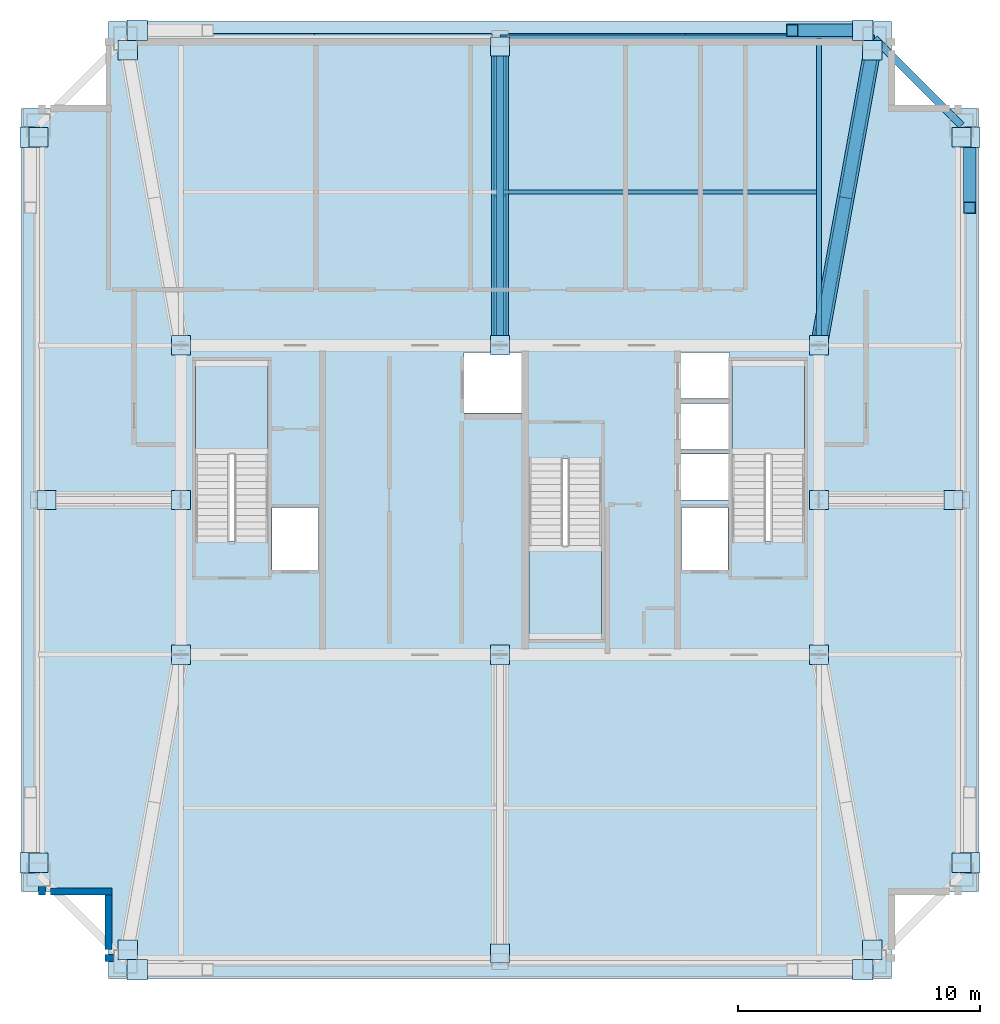
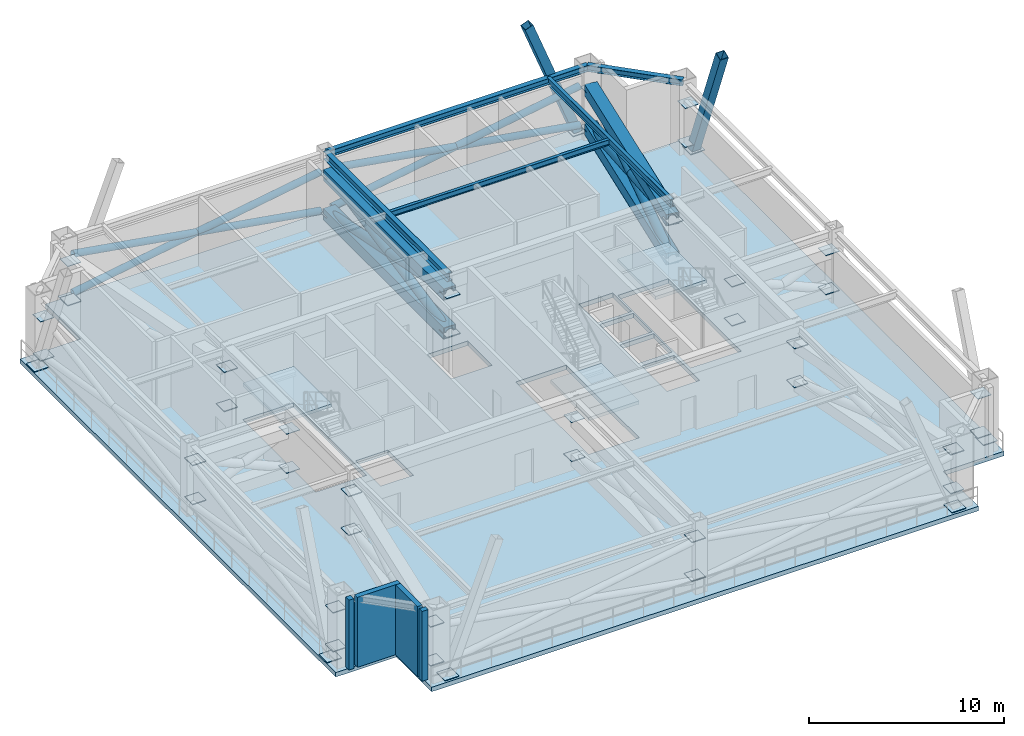
# One storey, part 4 of 9: 48 plates, 14 members, 5 beams, 4 slabs, 4 walls, 3 elements without a shape of their own.
"""IFC4 building model written with IfcOpenShell, lengths in metres."""

from ifc_helpers import new_model, si_unit, direction, frame, frame_2d, origin, origin_2d, place, context, subcontext, project, spatial, polyline, rectangle, hollow_rectangle, hollow_circle, i_section, outline, extrude, source, transform, mapped, material, layer, layer_set, material_profile, profile_set, type_object, element, aggregate, save


model = new_model("IFC4")

# Units and contexts
model_context = context("Model", 3, precision=1e-05, world=origin(), true_north=direction((0.0, 1.0)))
body_context = subcontext(model_context, "Body", "Model", "MODEL_VIEW")
ifc_project = project(units=[si_unit("LENGTHUNIT", "METRE"), si_unit("AREAUNIT", "SQUARE_METRE"), si_unit("VOLUMEUNIT", "CUBIC_METRE"), si_unit("PLANEANGLEUNIT", "RADIAN"), si_unit("MASSUNIT", "GRAM", prefix="KILO"), si_unit("THERMODYNAMICTEMPERATUREUNIT", "KELVIN"), si_unit("POWERUNIT", "WATT")], contexts=[model_context])

# Site, building, storey
site_placement = place(None, origin())
site = spatial("IfcSite", under=ifc_project, at=site_placement, CompositionType="ELEMENT")
building_placement = place(site_placement, origin())
building = spatial("IfcBuilding", under=site, at=building_placement, Name="Yuzanri Waterfront Tower", CompositionType="ELEMENT")
storey_placement = place(building_placement, frame((0.0, 0.0, 306.60009765625)))
storey = spatial("IfcBuildingStorey", under=building, at=storey_placement, Name="L82", CompositionType="ELEMENT", Elevation=306.60009765625)

# Beams
ifc_material_1 = material(Name="Steel Q355B", Category="steel")
ifc_material_profile_1 = material_profile(ifc_material_1, i_section(OverallWidth=0.175048828125, OverallDepth=0.35009765625, WebThickness=0.007080078125, FlangeThickness=0.010986328125, at=origin_2d()), Name="HN 350x175x7x11")
ifc_profile_set_1 = profile_set([ifc_material_profile_1], Name="Steel Q355B")
beam_type_1 = type_object("IfcBeamType", Name="Floor Joist Q355B HN 350x175", PredefinedType="JOIST", material=ifc_profile_set_1)
shared_shape_1 = source(origin(), body_context, "Body", "SweptSolid", [
    extrude(i_section(OverallWidth=0.175048828125, OverallDepth=0.35009765625, WebThickness=0.007080078125, FlangeThickness=0.010986328125, at=origin_2d()), origin(), (0.0, 0.0, 1.0), 12.9501953125),
])
beam_1_placement = place(storey_placement, frame((37.14990234375, 38.550048828125, 4.204833984375), z_axis=(1.0, 0.0, 0.0), x_axis=(0.0, 1.0, 0.0)))
element("IfcBeam", 1, at=beam_1_placement, inside=storey, type_object=beam_type_1, Name="L82 North Bay Joist E", PredefinedType="JOIST", context=body_context, shape_type="MappedRepresentation", body=[
    mapped(shared_shape_1, transform((0.0, 0.0, 0.0), scale=1.0)),
])
ifc_material_2 = material(Name="Steel Q355B", Category="steel")
ifc_material_profile_2 = material_profile(ifc_material_2, i_section(OverallWidth=0.300048828125, OverallDepth=0.389892578125, WebThickness=0.010009765625, FlangeThickness=0.01611328125, at=origin_2d()), Name="HM 390x300x10x16")
ifc_profile_set_2 = profile_set([ifc_material_profile_2], Name="Steel Q355B")
beam_type_2 = type_object("IfcBeamType", Name="Perimeter Spandrel Q355B HM 390x300", PredefinedType="SPANDREL", material=ifc_profile_set_2)
shared_shape_2 = source(origin(), body_context, "Body", "SweptSolid", [
    extrude(i_section(OverallWidth=0.300048828125, OverallDepth=0.389892578125, WebThickness=0.010009765625, FlangeThickness=0.01611328125, at=origin_2d()), origin(), (0.0, 0.0, 1.0), 15.5),
])
beam_2_placement = place(storey_placement, frame((52.5, 44.89990234375, 4.184814453125), z_axis=(-1.0, 0.0, 0.0), x_axis=(0.0, -1.0, 0.0)))
element("IfcBeam", 2, at=beam_2_placement, inside=storey, type_object=beam_type_2, Name="L82 Perimeter Spandrel N3-N2", PredefinedType="SPANDREL", context=body_context, shape_type="MappedRepresentation", body=[
    mapped(shared_shape_2, transform((0.0, 0.0, 0.0), scale=1.0)),
])
shared_shape_3 = source(origin(), body_context, "Body", "SweptSolid", [
    extrude(i_section(OverallWidth=0.300048828125, OverallDepth=0.389892578125, WebThickness=0.010009765625, FlangeThickness=0.01611328125, at=origin_2d()), origin(), (0.0, 0.0, 1.0), 5.091064453125),
])
beam_3_placement = place(storey_placement, frame((56.10009765625, 41.300048828125, 4.184814453125), z_axis=(-0.707130757816, 0.707082803744, 0.0), x_axis=(-0.707082803744, -0.707130757816, 0.0)))
element("IfcBeam", 3, at=beam_3_placement, inside=storey, type_object=beam_type_2, Name="L82 Perimeter Spandrel E3-N3", PredefinedType="SPANDREL", context=body_context, shape_type="MappedRepresentation", body=[
    mapped(shared_shape_3, transform((0.0, 0.0, 0.0), scale=1.0)),
])
ifc_material_3 = material(Name="Steel Q355B", Category="steel")
ifc_material_profile_3 = material_profile(ifc_material_3, i_section(OverallWidth=0.300048828125, OverallDepth=0.488037109375, WebThickness=0.010986328125, FlangeThickness=0.01806640625, at=origin_2d()), Name="HM 488x300x11x18")
ifc_profile_set_3 = profile_set([ifc_material_profile_3], Name="Steel Q355B")
beam_type_3 = type_object("IfcBeamType", Name="Primary Floor Girder Q355B HM 488x300", PredefinedType="BEAM", material=ifc_profile_set_3)
shared_shape_4 = source(origin(), body_context, "Body", "SweptSolid", [
    extrude(i_section(OverallWidth=0.300048828125, OverallDepth=0.488037109375, WebThickness=0.010986328125, FlangeThickness=0.01806640625, at=origin_2d()), origin(), (0.0, 0.0, 1.0), 12.699951171875),
])
beam_4_placement = place(storey_placement, frame((37.0, 32.199951171875, 4.135986328125), z_axis=(0.0, 1.0, 0.0), x_axis=(-1.0, 0.0, 0.0)))
element("IfcBeam", 4, at=beam_4_placement, inside=storey, type_object=beam_type_3, Name="L82 North Grid Girder", PredefinedType="BEAM", context=body_context, shape_type="MappedRepresentation", body=[
    mapped(shared_shape_4, transform((0.0, 0.0, 0.0), scale=1.0)),
])
ifc_material_4 = material(Name="Steel Q355B", Category="steel")
ifc_material_profile_4 = material_profile(ifc_material_4, i_section(OverallWidth=0.199951171875, OverallDepth=0.449951171875, WebThickness=0.009033203125, FlangeThickness=0.013916015625, at=origin_2d()), Name="HN 450x200x9x14")
ifc_profile_set_4 = profile_set([ifc_material_profile_4], Name="Steel Q355B")
beam_type_4 = type_object("IfcBeamType", Name="Secondary Floor Beam Q355B HN 450x200", PredefinedType="BEAM", material=ifc_profile_set_4)
shared_shape_5 = source(origin(), body_context, "Body", "SweptSolid", [
    extrude(i_section(OverallWidth=0.199951171875, OverallDepth=0.449951171875, WebThickness=0.009033203125, FlangeThickness=0.013916015625, at=origin_2d()), origin(), (0.0, 0.0, 1.0), 12.699951171875),
])
beam_5_placement = place(storey_placement, frame((50.199951171875, 32.199951171875, 4.15478515625), z_axis=(0.0, 1.0, 0.0), x_axis=(-1.0, 0.0, 0.0)))
element("IfcBeam", 5, at=beam_5_placement, inside=storey, type_object=beam_type_4, Name="L82 North-East Core Line Beam", PredefinedType="BEAM", context=body_context, shape_type="MappedRepresentation", body=[
    mapped(shared_shape_5, transform((0.0, 0.0, 0.0), scale=1.0)),
])

# Members
ifc_material_5 = material(Name="Steel Q390GJC", Category="steel")
ifc_material_profile_5 = material_profile(ifc_material_5, hollow_rectangle(XDim=0.5, YDim=0.5, WallThickness=0.02197265625, at=origin_2d()), Name="RHS 500x500x22")
ifc_profile_set_5 = profile_set([ifc_material_profile_5], Name="Steel Q390GJC")
member_type_1 = type_object("IfcMemberType", Name="Mega Brace Upper Q390GJC RHS 500x500x22", PredefinedType="BRACE", material=ifc_profile_set_5)
shared_shape_6 = source(origin(), body_context, "Body", "SweptSolid", [
    extrude(hollow_rectangle(XDim=0.5, YDim=0.5, WallThickness=0.02197265625, at=origin_2d()), origin(), (0.0, 0.0, 1.0), 8.1416015625),
])
for number, where, z_axis, x_axis, name in (
    (6, (52.02001953125, 45.239990234375, 0.179931640625), (-0.358647496613, 0.0, 0.933473070406), (0.0, -1.0, 0.0), "L82-L83 Perimeter Mega-Brace N-R"),
    (7, (56.43994140625, 40.820068359375, 0.179931640625), (0.0, -0.358673626239, 0.933463030784), (1.0, 0.0, 0.0), "L82-L83 Perimeter Mega-Brace E-R"),
):
    element("IfcMember", number, at=place(storey_placement, frame(where, z_axis=z_axis, x_axis=x_axis)), inside=storey, type_object=member_type_1, Name=name, PredefinedType="BRACE", context=body_context, shape_type="MappedRepresentation", body=[
        mapped(shared_shape_6, transform((0.0, 0.0, 0.0), scale=1.0)),
    ])
ifc_material_6 = material(Name="Steel Q420GJC", Category="steel")
ifc_material_profile_6 = material_profile(ifc_material_6, hollow_rectangle(XDim=0.699951171875, YDim=0.699951171875, WallThickness=0.031982421875, at=origin_2d()), Name="RHS 700x700x32")
ifc_profile_set_6 = profile_set([ifc_material_profile_6], Name="Steel Q420GJC")
member_type_2 = type_object("IfcMemberType", Name="Outrigger Chord Q420GJC RHS 700x700x32", PredefinedType="CHORD", material=ifc_profile_set_6)
shared_shape_7 = source(origin(), body_context, "Body", "SweptSolid", [
    extrude(hollow_rectangle(XDim=0.699951171875, YDim=0.699951171875, WallThickness=0.031982421875, at=origin_2d()), origin(), (0.0, 0.0, 1.0), 12.364990234375),
])
for number, where, z_axis, x_axis, name in (
    (8, (37.0, 32.199951171875, 0.719970703125), (0.0, 1.0, 0.0), (-1.0, 0.0, 0.0), "L82 Outrigger Bottom Chord N2"),
    (9, (37.0, 32.199951171875, 3.159912109375), (0.0, 1.0, 0.0), (-1.0, 0.0, 0.0), "L82 Outrigger Top Chord N2"),
):
    element("IfcMember", number, at=place(storey_placement, frame(where, z_axis=z_axis, x_axis=x_axis)), inside=storey, type_object=member_type_2, Name=name, PredefinedType="CHORD", context=body_context, shape_type="MappedRepresentation", body=[
        mapped(shared_shape_7, transform((0.0, 0.0, 0.0), scale=1.0)),
    ])
ifc_material_7 = material(Name="Steel Q420GJC", Category="steel")
ifc_material_profile_7 = material_profile(ifc_material_7, hollow_circle(Radius=0.25390625, WallThickness=0.02001953125, at=origin_2d()), Name="CHS 508x20")
ifc_profile_set_7 = profile_set([ifc_material_profile_7], Name="Steel Q420GJC")
member_type_3 = type_object("IfcMemberType", Name="Outrigger Diagonal Q420GJC CHS 508x20", PredefinedType="BRACE", material=ifc_profile_set_7)
shared_shape_8 = source(origin(), body_context, "Body", "SweptSolid", [
    extrude(hollow_circle(Radius=0.25390625, WallThickness=0.02001953125, at=origin_2d()), origin(), (0.0, 0.0, 1.0), 12.603515625),
])
for number, where, z_axis, x_axis, name in (
    (10, (37.0, 32.199951171875, 0.719970703125), (0.0, 0.981081823, 0.193593534446), (-1.0, 0.0, 0.0), "L82 Outrigger Diagonal 1 N2"),
    (11, (37.0, 32.199951171875, 3.159912109375), (0.0, 0.981081823, -0.193593534446), (-1.0, 0.0, 0.0), "L82 Outrigger Diagonal 2 N2"),
):
    element("IfcMember", number, at=place(storey_placement, frame(where, z_axis=z_axis, x_axis=x_axis)), inside=storey, type_object=member_type_3, Name=name, PredefinedType="BRACE", context=body_context, shape_type="MappedRepresentation", body=[
        mapped(shared_shape_8, transform((0.0, 0.0, 0.0), scale=1.0)),
    ])
shared_shape_9 = source(origin(), body_context, "Body", "SweptSolid", [
    extrude(hollow_rectangle(XDim=0.699951171875, YDim=0.699951171875, WallThickness=0.031982421875, at=origin_2d()), origin(), (0.0, 0.0, 1.0), 12.413818359375),
])
for number, where, z_axis, x_axis, name in (
    (12, (50.199951171875, 32.199951171875, 0.719970703125), (0.178201773602, 0.983993967403, 0.0), (-0.983993967403, 0.178201773602, 0.0), "L82 Outrigger Bottom Chord N3"),
    (13, (50.199951171875, 32.199951171875, 3.159912109375), (0.178201773602, 0.983993967403, 0.0), (-0.983993967403, 0.178201773602, 0.0), "L82 Outrigger Top Chord N3"),
):
    element("IfcMember", number, at=place(storey_placement, frame(where, z_axis=z_axis, x_axis=x_axis)), inside=storey, type_object=member_type_2, Name=name, PredefinedType="CHORD", context=body_context, shape_type="MappedRepresentation", body=[
        mapped(shared_shape_9, transform((0.0, 0.0, 0.0), scale=1.0)),
    ])
shared_shape_10 = source(origin(), body_context, "Body", "SweptSolid", [
    extrude(hollow_circle(Radius=0.25390625, WallThickness=0.02001953125, at=origin_2d()), origin(), (0.0, 0.0, 1.0), 12.6513671875),
])
for number, where, z_axis, x_axis, name in (
    (14, (50.199951171875, 32.199951171875, 0.719970703125), (0.174856230455, 0.965520558255, 0.19286096095), (-0.983993967403, 0.178201773602, 0.0), "L82 Outrigger Diagonal 1 N3"),
    (15, (50.199951171875, 32.199951171875, 3.159912109375), (0.174856230455, 0.965520558255, -0.19286096095), (-0.983993967403, 0.178201773602, 0.0), "L82 Outrigger Diagonal 2 N3"),
):
    element("IfcMember", number, at=place(storey_placement, frame(where, z_axis=z_axis, x_axis=x_axis)), inside=storey, type_object=member_type_3, Name=name, PredefinedType="BRACE", context=body_context, shape_type="MappedRepresentation", body=[
        mapped(shared_shape_10, transform((0.0, 0.0, 0.0), scale=1.0)),
    ])
ifc_material_8 = material(Name="Steel Q390GJC", Category="steel")
ifc_material_profile_8 = material_profile(ifc_material_8, hollow_circle(Radius=0.202880859375, WallThickness=0.01611328125, at=origin_2d()), Name="CHS 406x16")
ifc_profile_set_8 = profile_set([ifc_material_profile_8], Name="Steel Q390GJC")
member_type_4 = type_object("IfcMemberType", Name="Belt Truss Strut Q390GJC CHS 406x16", PredefinedType="STRUT", material=ifc_profile_set_8)
shared_shape_11 = source(origin(), body_context, "Body", "SweptSolid", [
    extrude(hollow_circle(Radius=0.202880859375, WallThickness=0.01611328125, at=origin_2d()), origin(), (0.0, 0.0, 1.0), 14.88134765625),
])
for number, where, z_axis, x_axis, name in (
    (16, (21.985107421875, 44.89990234375, 0.719970703125), (0.986466987353, 0.0, 0.163960003852), (0.0, 1.0, 0.0), "L82 Belt Truss Diagonal N1-N2 A"),
    (17, (21.985107421875, 44.89990234375, 3.159912109375), (0.986466987353, 0.0, -0.163960003852), (0.0, 1.0, 0.0), "L82 Belt Truss Diagonal N1-N2 B"),
    (18, (37.3349609375, 44.89990234375, 0.719970703125), (0.986466987353, 0.0, 0.163960003852), (0.0, 1.0, 0.0), "L82 Belt Truss Diagonal N2-N3 A"),
    (19, (37.3349609375, 44.89990234375, 3.159912109375), (0.986466987353, 0.0, -0.163960003852), (0.0, 1.0, 0.0), "L82 Belt Truss Diagonal N2-N3 B"),
):
    element("IfcMember", number, at=place(storey_placement, frame(where, z_axis=z_axis, x_axis=x_axis)), inside=storey, type_object=member_type_4, Name=name, PredefinedType="STRUT", context=body_context, shape_type="MappedRepresentation", body=[
        mapped(shared_shape_11, transform((0.0, 0.0, 0.0), scale=1.0)),
    ])

# Stair, slab
ifc_material_9 = material(Name="Concrete C40", Category="concrete")
stair_type = type_object("IfcStairType", Name="Concrete C40 Core Dogleg Exit Stair", PredefinedType="HALF_TURN_STAIR", material=ifc_material_9)
stair_1_placement = place(storey_placement, origin())
stair_1 = element("IfcStair", 20, at=stair_1_placement, inside=storey, type_object=stair_type, Name="L82 Smoke-Proof Core Stair ST-01", PredefinedType="HALF_TURN_STAIR")
ifc_material_10 = material(Name="Concrete C40", Category="concrete")
ifc_layer_1 = layer(ifc_material_10, 0.179931640625)
ifc_layer_set_1 = layer_set([ifc_layer_1], Name="Concrete C40")
slab_type_1 = type_object("IfcSlabType", Name="Concrete C40 Stair Half-Landing Slab 180", PredefinedType="LANDING", material=ifc_layer_set_1)
slab_1_placement = place(storey_placement, frame((0.0, 0.0, 2.099853515625)))
slab_1 = element("IfcSlab", 21, at=slab_1_placement, type_object=slab_type_1, Name="ST-01 landing 1", PredefinedType="LANDING", context=body_context, shape_type="SweptSolid", body=[
    extrude(outline(polyline([(27.39990234375, 27.679931640625), (27.39990234375, 31.580078125), (24.39990234375, 31.580078125), (24.39990234375, 27.679931640625), (27.39990234375, 27.679931640625)])), origin(), (0.0, 0.0, 1.0), 0.199951171875),
])
aggregate(stair_1, [slab_1])

stair_2_placement = place(storey_placement, origin())
stair_2 = element("IfcStair", 22, at=stair_2_placement, inside=storey, type_object=stair_type, Name="L82 Smoke-Proof Core Stair ST-02", PredefinedType="HALF_TURN_STAIR")
slab_2_placement = place(storey_placement, frame((0.0, 0.0, 2.099853515625)))
slab_2 = element("IfcSlab", 23, at=slab_2_placement, type_object=slab_type_1, Name="ST-02 landing 1", PredefinedType="LANDING", context=body_context, shape_type="SweptSolid", body=[
    extrude(outline(polyline([(49.60009765625, 27.679931640625), (49.60009765625, 31.580078125), (46.60009765625, 31.580078125), (46.60009765625, 27.679931640625), (49.60009765625, 27.679931640625)])), origin(), (0.0, 0.0, 1.0), 0.199951171875),
])
aggregate(stair_2, [slab_2])

stair_3_placement = place(storey_placement, origin())
stair_3 = element("IfcStair", 24, at=stair_3_placement, inside=storey, type_object=stair_type, Name="L82 Smoke-Proof Core Stair ST-03", PredefinedType="HALF_TURN_STAIR")
slab_3_placement = place(storey_placement, frame((0.0, 0.0, 2.099853515625)))
slab_3 = element("IfcSlab", 25, at=slab_3_placement, type_object=slab_type_1, Name="ST-03 landing 1", PredefinedType="LANDING", context=body_context, shape_type="SweptSolid", body=[
    extrude(outline(polyline([(38.199951171875, 23.919921875), (38.199951171875, 20.02001953125), (41.199951171875, 20.02001953125), (41.199951171875, 23.919921875), (38.199951171875, 23.919921875)])), origin(), (0.0, 0.0, 1.0), 0.199951171875),
])
aggregate(stair_3, [slab_3])

# Slab
ifc_material_11 = material(Name="Concrete C45", Category="concrete")
ifc_layer_2 = layer(ifc_material_11, 0.280029296875)
ifc_layer_set_2 = layer_set([ifc_layer_2], Name="Concrete C45")
slab_type_2 = type_object("IfcSlabType", Name="Concrete C45 Podium and Refuge Structural Floor Slab 280", PredefinedType="FLOOR", material=ifc_layer_set_2)
slab_4_placement = place(storey_placement, frame((0.0, 0.0, -0.280029296875)))
element("IfcSlab", 26, at=slab_4_placement, inside=storey, type_object=slab_type_2, Name="L82 Main Structural Floor Slab", PredefinedType="FLOOR", context=body_context, shape_type="SweptSolid", body=[
    extrude(outline(polyline([(20.800048828125, 6.0), (53.199951171875, 6.0), (53.199951171875, 9.60009765625), (56.800048828125, 9.60009765625), (56.800048828125, 42.0), (53.199951171875, 42.0), (53.199951171875, 45.60009765625), (20.800048828125, 45.60009765625), (20.800048828125, 42.0), (17.199951171875, 42.0), (17.199951171875, 9.60009765625), (20.800048828125, 9.60009765625), (20.800048828125, 6.0)]), holes=[polyline([(27.39990234375, 24.10009765625), (27.39990234375, 31.580078125), (24.39990234375, 31.580078125), (24.39990234375, 24.10009765625), (27.39990234375, 24.10009765625)]), polyline([(49.60009765625, 24.10009765625), (49.60009765625, 31.580078125), (46.60009765625, 31.580078125), (46.60009765625, 24.10009765625), (49.60009765625, 24.10009765625)]), polyline([(38.199951171875, 27.5), (38.199951171875, 20.02001953125), (41.199951171875, 20.02001953125), (41.199951171875, 27.5), (38.199951171875, 27.5)]), polyline([(27.56005859375, 22.89990234375), (29.47998046875, 22.89990234375), (29.47998046875, 25.5), (27.56005859375, 25.5), (27.56005859375, 22.89990234375)]), polyline([(44.52001953125, 22.89990234375), (46.43994140625, 22.89990234375), (46.43994140625, 25.5), (44.52001953125, 25.5), (44.52001953125, 22.89990234375)]), polyline([(35.5, 29.39990234375), (37.89990234375, 29.39990234375), (37.89990234375, 31.89990234375), (35.5, 31.89990234375), (35.5, 29.39990234375)]), polyline([(44.5, 25.800048828125), (46.5, 25.800048828125), (46.5, 27.699951171875), (44.5, 27.699951171875), (44.5, 25.800048828125)]), polyline([(44.5, 27.89990234375), (46.5, 27.89990234375), (46.5, 29.800048828125), (44.5, 29.800048828125), (44.5, 27.89990234375)]), polyline([(44.5, 30.0), (46.5, 30.0), (46.5, 31.89990234375), (44.5, 31.89990234375), (44.5, 30.0)])]), origin(), (0.0, 0.0, 1.0), 0.280029296875),
])

# Plates
ifc_material_12 = material(Name="Steel Q420GJC", Category="steel")
ifc_layer_3 = layer(ifc_material_12, 0.0400390625)
ifc_layer_set_3 = layer_set([ifc_layer_3], Name="Steel Q420GJC")
plate_type_1 = type_object("IfcPlateType", Name="Steel Q420GJC Mega-Brace Gusset and End-Cap Plate 40", PredefinedType="SHEET", material=ifc_layer_set_3)
shared_shape_12 = source(origin(), body_context, "Body", "SweptSolid", [
    extrude(rectangle(XDim=0.85009765625, YDim=0.85009765625, at=origin_2d()), origin(), (0.0, 0.0, 1.0), 0.0400390625),
])
for number, where, z_axis, x_axis, name in (
    (27, (21.97998046875, 6.360107421875, 0.159912109375), (0.0, 0.0, 1.0), (1.0, 0.0, 0.0), "L82 Mega-Brace Foot Cap Plate S-L"),
    (28, (52.02001953125, 6.360107421875, 0.159912109375), (0.0, 0.0, 1.0), (1.0, 0.0, 0.0), "L82 Mega-Brace Foot Cap Plate S-R"),
    (29, (21.97998046875, 45.239990234375, 0.159912109375), (0.0, 0.0, 1.0), (1.0, 0.0, 0.0), "L82 Mega-Brace Foot Cap Plate N-L"),
    (30, (52.02001953125, 45.239990234375, 0.159912109375), (0.0, 0.0, 1.0), (1.0, 0.0, 0.0), "L82 Mega-Brace Foot Cap Plate N-R"),
    (31, (17.56005859375, 10.780029296875, 0.159912109375), (0.0, 0.0, 1.0), (1.0, 0.0, 0.0), "L82 Mega-Brace Foot Cap Plate W-L"),
    (32, (17.56005859375, 40.820068359375, 0.159912109375), (0.0, 0.0, 1.0), (1.0, 0.0, 0.0), "L82 Mega-Brace Foot Cap Plate W-R"),
    (33, (56.43994140625, 10.780029296875, 0.159912109375), (0.0, 0.0, 1.0), (1.0, 0.0, 0.0), "L82 Mega-Brace Foot Cap Plate E-L"),
    (34, (56.43994140625, 40.820068359375, 0.159912109375), (0.0, 0.0, 1.0), (1.0, 0.0, 0.0), "L82 Mega-Brace Foot Cap Plate E-R"),
):
    element("IfcPlate", number, at=place(storey_placement, frame(where, z_axis=z_axis, x_axis=x_axis)), inside=storey, type_object=plate_type_1, Name=name, PredefinedType="SHEET", context=body_context, shape_type="MappedRepresentation", body=[
        mapped(shared_shape_12, transform((0.0, 0.0, 0.0), scale=1.0)),
    ])
ifc_material_13 = material(Name="Steel Q420GJC", Category="steel")
ifc_layer_4 = layer(ifc_material_13, 0.031982421875)
ifc_layer_set_4 = layer_set([ifc_layer_4], Name="Steel Q420GJC")
plate_type_2 = type_object("IfcPlateType", Name="Steel Q420GJC Outrigger-to-Core Embedment Cap Plate 32", PredefinedType="SHEET", material=ifc_layer_set_4)
shared_shape_13 = source(origin(), body_context, "Body", "SweptSolid", [
    extrude(rectangle(XDim=0.800048828125, YDim=0.800048828125, at=origin_2d()), origin(), (0.0, 0.0, 1.0), 0.031982421875),
])
for number, where, z_axis, x_axis, name in (
    (35, (37.0, 19.39990234375, 0.7041015625), (0.0, 0.0, 1.0), (1.0, 0.0, 0.0), "L82 Outrigger Core Lower Cap S2"),
    (36, (37.0, 19.39990234375, 3.14404296875), (0.0, 0.0, 1.0), (1.0, 0.0, 0.0), "L82 Outrigger Core Upper Cap S2"),
    (37, (37.0, 32.199951171875, 0.7041015625), (0.0, 0.0, 1.0), (1.0, 0.0, 0.0), "L82 Outrigger Core Lower Cap N2"),
    (38, (37.0, 32.199951171875, 3.14404296875), (0.0, 0.0, 1.0), (1.0, 0.0, 0.0), "L82 Outrigger Core Upper Cap N2"),
    (39, (23.800048828125, 25.800048828125, 0.7041015625), (0.0, 0.0, 1.0), (1.0, 0.0, 0.0), "L82 Outrigger Core Lower Cap W2"),
    (40, (23.800048828125, 25.800048828125, 3.14404296875), (0.0, 0.0, 1.0), (1.0, 0.0, 0.0), "L82 Outrigger Core Upper Cap W2"),
    (41, (50.199951171875, 25.800048828125, 0.7041015625), (0.0, 0.0, 1.0), (1.0, 0.0, 0.0), "L82 Outrigger Core Lower Cap E2"),
    (42, (50.199951171875, 25.800048828125, 3.14404296875), (0.0, 0.0, 1.0), (1.0, 0.0, 0.0), "L82 Outrigger Core Upper Cap E2"),
    (43, (23.800048828125, 19.39990234375, 0.7041015625), (0.0, 0.0, 1.0), (1.0, 0.0, 0.0), "L82 Outrigger Core Lower Cap S1"),
    (44, (23.800048828125, 19.39990234375, 3.14404296875), (0.0, 0.0, 1.0), (1.0, 0.0, 0.0), "L82 Outrigger Core Upper Cap S1"),
    (45, (50.199951171875, 19.39990234375, 0.7041015625), (0.0, 0.0, 1.0), (1.0, 0.0, 0.0), "L82 Outrigger Core Lower Cap S3"),
    (46, (50.199951171875, 19.39990234375, 3.14404296875), (0.0, 0.0, 1.0), (1.0, 0.0, 0.0), "L82 Outrigger Core Upper Cap S3"),
    (47, (23.800048828125, 32.199951171875, 0.7041015625), (0.0, 0.0, 1.0), (1.0, 0.0, 0.0), "L82 Outrigger Core Lower Cap N1"),
    (48, (23.800048828125, 32.199951171875, 3.14404296875), (0.0, 0.0, 1.0), (1.0, 0.0, 0.0), "L82 Outrigger Core Upper Cap N1"),
    (49, (50.199951171875, 32.199951171875, 0.7041015625), (0.0, 0.0, 1.0), (1.0, 0.0, 0.0), "L82 Outrigger Core Lower Cap N3"),
    (50, (50.199951171875, 32.199951171875, 3.14404296875), (0.0, 0.0, 1.0), (1.0, 0.0, 0.0), "L82 Outrigger Core Upper Cap N3"),
    (51, (56.10009765625, 10.784912109375, 0.7041015625), (0.0, 0.0, 1.0), (1.0, 0.0, 0.0), "L82 Perimeter Truss Node Lower Cap E1"),
    (52, (56.10009765625, 10.784912109375, 3.14404296875), (0.0, 0.0, 1.0), (1.0, 0.0, 0.0), "L82 Perimeter Truss Node Upper Cap E1"),
    (53, (55.764892578125, 25.800048828125, 0.7041015625), (0.0, 0.0, 1.0), (1.0, 0.0, 0.0), "L82 Perimeter Truss Node Lower Cap E2"),
    (54, (55.764892578125, 25.800048828125, 3.14404296875), (0.0, 0.0, 1.0), (1.0, 0.0, 0.0), "L82 Perimeter Truss Node Upper Cap E2"),
    (55, (56.10009765625, 40.81494140625, 0.7041015625), (0.0, 0.0, 1.0), (1.0, 0.0, 0.0), "L82 Perimeter Truss Node Lower Cap E3"),
    (56, (56.10009765625, 40.81494140625, 3.14404296875), (0.0, 0.0, 1.0), (1.0, 0.0, 0.0), "L82 Perimeter Truss Node Upper Cap E3"),
    (57, (21.587890625, 44.4150390625, 0.7041015625), (0.0, 0.0, 1.0), (1.0, 0.0, 0.0), "L82 Perimeter Truss Node Lower Cap N1"),
    (58, (21.587890625, 44.4150390625, 3.14404296875), (0.0, 0.0, 1.0), (1.0, 0.0, 0.0), "L82 Perimeter Truss Node Upper Cap N1"),
    (59, (37.0, 44.56494140625, 0.7041015625), (0.0, 0.0, 1.0), (1.0, 0.0, 0.0), "L82 Perimeter Truss Node Lower Cap N2"),
    (60, (37.0, 44.56494140625, 3.14404296875), (0.0, 0.0, 1.0), (1.0, 0.0, 0.0), "L82 Perimeter Truss Node Upper Cap N2"),
    (61, (52.412109375, 44.4150390625, 0.7041015625), (0.0, 0.0, 1.0), (1.0, 0.0, 0.0), "L82 Perimeter Truss Node Lower Cap N3"),
    (62, (52.412109375, 44.4150390625, 3.14404296875), (0.0, 0.0, 1.0), (1.0, 0.0, 0.0), "L82 Perimeter Truss Node Upper Cap N3"),
    (63, (21.587890625, 7.18505859375, 0.7041015625), (0.0, 0.0, 1.0), (1.0, 0.0, 0.0), "L82 Perimeter Truss Node Lower Cap S1"),
    (64, (21.587890625, 7.18505859375, 3.14404296875), (0.0, 0.0, 1.0), (1.0, 0.0, 0.0), "L82 Perimeter Truss Node Upper Cap S1"),
    (65, (37.0, 7.034912109375, 0.7041015625), (0.0, 0.0, 1.0), (1.0, 0.0, 0.0), "L82 Perimeter Truss Node Lower Cap S2"),
    (66, (37.0, 7.034912109375, 3.14404296875), (0.0, 0.0, 1.0), (1.0, 0.0, 0.0), "L82 Perimeter Truss Node Upper Cap S2"),
    (67, (52.412109375, 7.18505859375, 0.7041015625), (0.0, 0.0, 1.0), (1.0, 0.0, 0.0), "L82 Perimeter Truss Node Lower Cap S3"),
    (68, (52.412109375, 7.18505859375, 3.14404296875), (0.0, 0.0, 1.0), (1.0, 0.0, 0.0), "L82 Perimeter Truss Node Upper Cap S3"),
    (69, (17.89990234375, 10.784912109375, 0.7041015625), (0.0, 0.0, 1.0), (1.0, 0.0, 0.0), "L82 Perimeter Truss Node Lower Cap W1"),
    (70, (17.89990234375, 10.784912109375, 3.14404296875), (0.0, 0.0, 1.0), (1.0, 0.0, 0.0), "L82 Perimeter Truss Node Upper Cap W1"),
    (71, (18.235107421875, 25.800048828125, 0.7041015625), (0.0, 0.0, 1.0), (1.0, 0.0, 0.0), "L82 Perimeter Truss Node Lower Cap W2"),
    (72, (18.235107421875, 25.800048828125, 3.14404296875), (0.0, 0.0, 1.0), (1.0, 0.0, 0.0), "L82 Perimeter Truss Node Upper Cap W2"),
    (73, (17.89990234375, 40.81494140625, 0.7041015625), (0.0, 0.0, 1.0), (1.0, 0.0, 0.0), "L82 Perimeter Truss Node Lower Cap W3"),
    (74, (17.89990234375, 40.81494140625, 3.14404296875), (0.0, 0.0, 1.0), (1.0, 0.0, 0.0), "L82 Perimeter Truss Node Upper Cap W3"),
):
    element("IfcPlate", number, at=place(storey_placement, frame(where, z_axis=z_axis, x_axis=x_axis)), inside=storey, type_object=plate_type_2, Name=name, PredefinedType="SHEET", context=body_context, shape_type="MappedRepresentation", body=[
        mapped(shared_shape_13, transform((0.0, 0.0, 0.0), scale=1.0)),
    ])

# Walls
ifc_material_14 = material(Name="Honed Chongqing Dark Basalt Stone", Category="masonry")
ifc_layer_5 = layer(ifc_material_14, 0.300048828125)
ifc_layer_set_5 = layer_set([ifc_layer_5], Name="Honed Chongqing Dark Basalt Stone")
wall_type = type_object("IfcWallType", Name="Bronze Rainscreen Insulated Spandrel Portal Wall 300", PredefinedType="SOLIDWALL", material=ifc_layer_set_5)
shared_shape_14 = source(origin(), body_context, "Body", "SweptSolid", [
    extrude(rectangle(XDim=2.550048828125, YDim=0.300048828125, at=frame_2d((1.27490234375, 0.0))), origin(), (0.0, 0.0, 1.0), 4.3798828125),
])
for number, where, z_axis, x_axis, name in (
    (75, (18.39990234375, 9.60009765625, 0.0), (0.0, 0.0, 1.0), (1.0, 0.0, 0.0), "L82 Notched Corner Masonry Wall SW-X"),
    (76, (20.800048828125, 9.75, 0.0), (0.0, 0.0, 1.0), (0.0, -1.0, 0.0), "L82 Notched Corner Masonry Wall SW-Y"),
):
    element("IfcWall", number, at=place(storey_placement, frame(where, z_axis=z_axis, x_axis=x_axis)), inside=storey, type_object=wall_type, Name=name, PredefinedType="SOLIDWALL", context=body_context, shape_type="MappedRepresentation", body=[
        mapped(shared_shape_14, transform((0.0, 0.0, 0.0), scale=1.0)),
    ])
shared_shape_15 = source(origin(), body_context, "Body", "SweptSolid", [
    extrude(rectangle(XDim=0.35009765625, YDim=0.300048828125, at=frame_2d((0.175048828125, 0.0))), origin(), (0.0, 0.0, 1.0), 4.3798828125),
])
for number, where, z_axis, x_axis, name in (
    (77, (20.64990234375, 6.85009765625, 0.0), (0.0, 0.0, 1.0), (1.0, 0.0, 0.0), "L82 Corner Column Shoulder Return CSW"),
    (78, (18.050048828125, 9.449951171875, 0.0), (0.0, 0.0, 1.0), (0.0, 1.0, 0.0), "L82 Corner Column Shoulder Return CWS"),
):
    element("IfcWall", number, at=place(storey_placement, frame(where, z_axis=z_axis, x_axis=x_axis)), inside=storey, type_object=wall_type, Name=name, PredefinedType="SOLIDWALL", context=body_context, shape_type="MappedRepresentation", body=[
        mapped(shared_shape_15, transform((0.0, 0.0, 0.0), scale=1.0)),
    ])

save(model, "model.ifc")
